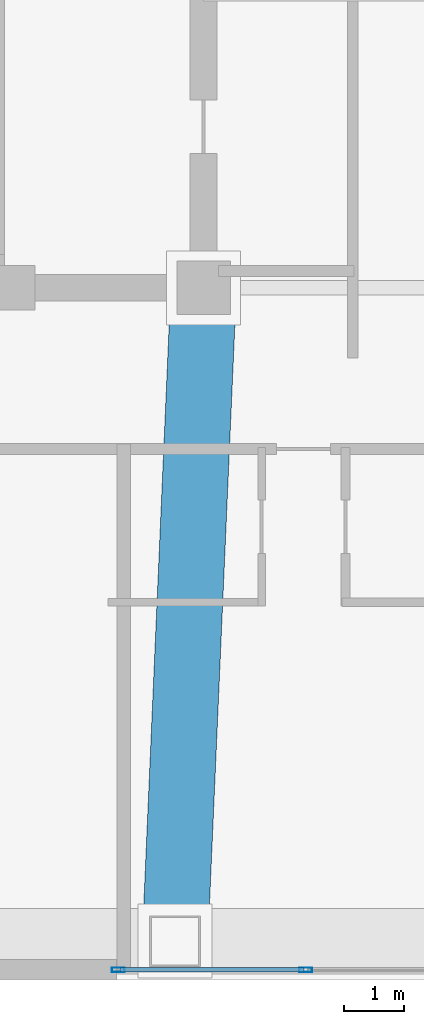
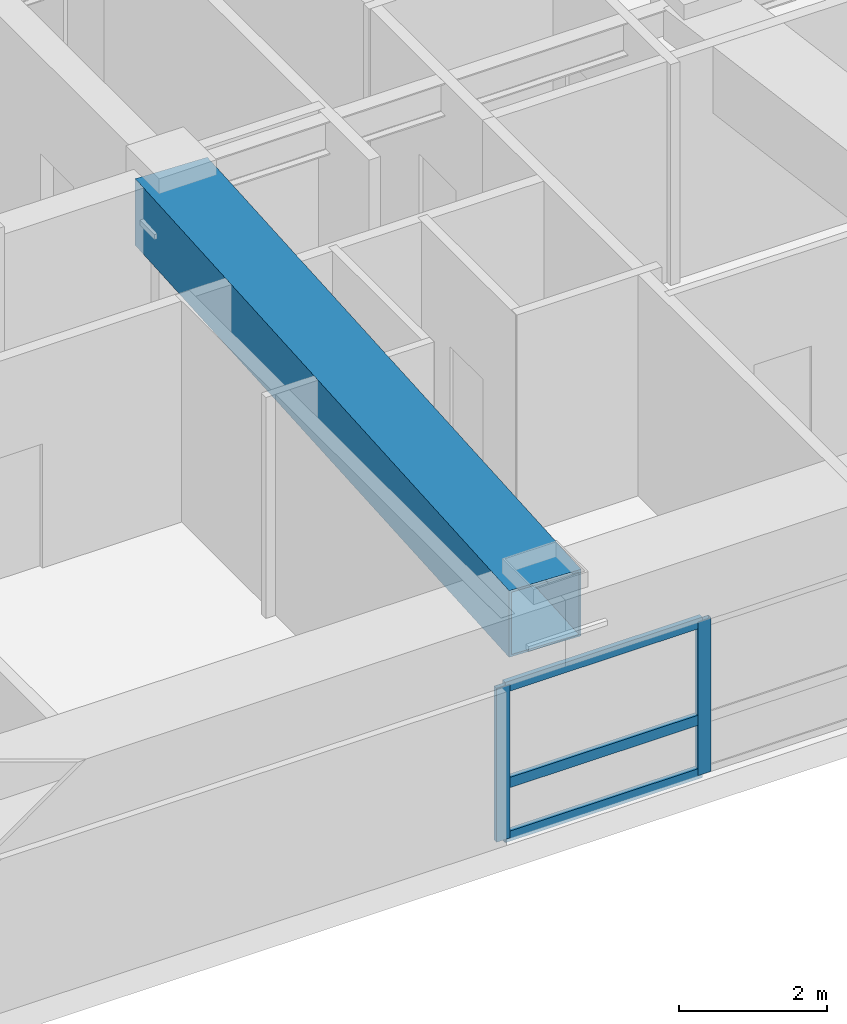
# One storey, part 2 of 16: 5 members, 1 beam, 1 element without a shape of its own.
"""IFC4 building model written with IfcOpenShell, lengths in metres."""

from ifc_helpers import new_model, si_unit, direction, frame, origin, origin_2d, place, context, subcontext, project, spatial, hollow_rectangle, extrude, material, layer, layer_set, material_profile, profile_set, type_object, element, aggregate, save


model = new_model("IFC4")

# Units and contexts
model_context = context("Model", 3, precision=1e-05, world=origin(), true_north=direction((0.0, 1.0)))
body_context = subcontext(model_context, "Body", "Model", "MODEL_VIEW")
ifc_project = project(units=[si_unit("LENGTHUNIT", "METRE"), si_unit("AREAUNIT", "SQUARE_METRE"), si_unit("VOLUMEUNIT", "CUBIC_METRE"), si_unit("PLANEANGLEUNIT", "RADIAN"), si_unit("MASSUNIT", "GRAM", prefix="KILO")], contexts=[model_context])

# Site, building, storey
site_placement = place(None, origin())
site = spatial("IfcSite", under=ifc_project, at=site_placement, CompositionType="ELEMENT")
building_placement = place(site_placement, origin())
building = spatial("IfcBuilding", under=site, at=building_placement, Name="Voryun Gate Residences", CompositionType="ELEMENT")
storey_placement = place(building_placement, frame((0.0, 0.0, 200.199951171875)))
storey = spatial("IfcBuildingStorey", under=building, at=storey_placement, Name="L49", CompositionType="ELEMENT", Elevation=200.199951171875)

# Beam
ifc_material_1 = material(Name="Steel SM420", Category="steel")
ifc_material_profile_1 = material_profile(ifc_material_1, hollow_rectangle(XDim=1.10009765625, YDim=1.10009765625, WallThickness=0.035888671875, at=origin_2d()), Name="BOX-1100x1100x36")
ifc_profile_set_1 = profile_set([ifc_material_profile_1], Name="Steel SM420")
beam_type = type_object("IfcBeamType", Name="BM_ARCH_RIB", PredefinedType="USERDEFINED", material=ifc_profile_set_1)
beam_placement = place(storey_placement, frame((-12.39990234375, -7.39990234375, 3.10009765625), z_axis=(-0.043791002488, -0.999040713936, 0.0), x_axis=(0.999040713936, -0.043791002488, 0.0)))
element("IfcBeam", 1, at=beam_placement, inside=storey, type_object=beam_type, Name="BM-L49-RAD-S2", ObjectType="GIRDER", PredefinedType="USERDEFINED", context=body_context, shape_type="SweptSolid", body=[
    extrude(hollow_rectangle(XDim=1.10009765625, YDim=1.10009765625, WallThickness=0.035888671875, at=origin_2d()), origin(), (0.0, 0.0, 1.0), 10.960693359375),
])

# Curtain wall, members
ifc_material_2 = material(Name="Anodised aluminium", Category="aluminium")
ifc_layer = layer(ifc_material_2, 0.2099609375, Name="CW_SYS_SKYGARDEN_DARK_GLASS")
ifc_layer_set = layer_set([ifc_layer], Name="Anodised aluminium")
curtain_wall_type = type_object("IfcCurtainWallType", Name="CW_SYS_SKYGARDEN_DARK_GLASS", PredefinedType="NOTDEFINED", material=ifc_layer_set)
curtain_wall_placement = place(storey_placement, origin())
curtain_wall = element("IfcCurtainWall", 2, at=curtain_wall_placement, inside=storey, type_object=curtain_wall_type, Name="Curtain wall CW5-L49-SG-01", PredefinedType="NOTDEFINED")
ifc_material_3 = material(Name="Anodised aluminium", Category="aluminium")
ifc_material_profile_2 = material_profile(ifc_material_3, hollow_rectangle(XDim=0.074951171875, YDim=0.2099609375, WallThickness=0.0048828125, at=origin_2d()), Name="ALU-MULL-210x75x5")
ifc_profile_set_2 = profile_set([ifc_material_profile_2], Name="Anodised aluminium")
member_type_1 = type_object("IfcMemberType", Name="CW_MULL_SKY", PredefinedType="MULLION", material=ifc_profile_set_2)
member_1_placement = place(storey_placement, frame((-10.68896484375, -18.830078125, 0.0), z_axis=(0.0, 0.0, 1.0), x_axis=(0.0, -1.0, 0.0)))
member_1 = element("IfcMember", 3, at=member_1_placement, type_object=member_type_1, Name="CW5 mullion 10", PredefinedType="MULLION", context=body_context, shape_type="SweptSolid", body=[
    extrude(hollow_rectangle(XDim=0.074951171875, YDim=0.2099609375, WallThickness=0.0048828125, at=origin_2d()), origin(), (0.0, 0.0, 1.0), 2.5400390625),
])
member_2_placement = place(storey_placement, frame((-13.831298828125, -18.830078125, 0.0), z_axis=(0.0, 0.0, 1.0), x_axis=(0.0, -1.0, 0.0)))
member_2 = element("IfcMember", 4, at=member_2_placement, type_object=member_type_1, Name="CW5 mullion 11", PredefinedType="MULLION", context=body_context, shape_type="SweptSolid", body=[
    extrude(hollow_rectangle(XDim=0.074951171875, YDim=0.2099609375, WallThickness=0.0048828125, at=origin_2d()), origin(), (0.0, 0.0, 1.0), 2.5400390625),
])
ifc_material_4 = material(Name="Anodised aluminium", Category="aluminium")
ifc_material_profile_3 = material_profile(ifc_material_4, hollow_rectangle(XDim=0.074951171875, YDim=0.169921875, WallThickness=0.0048828125, at=origin_2d()), Name="ALU-TRAN-170x75x5")
ifc_profile_set_3 = profile_set([ifc_material_profile_3], Name="Anodised aluminium")
member_type_2 = type_object("IfcMemberType", Name="CW_TRAN_SKY", PredefinedType="USERDEFINED", material=ifc_profile_set_3)
member_3_placement = place(storey_placement, frame((-10.718994140625, -18.830078125, 0.030029296875), z_axis=(-1.0, 0.0, 0.0), x_axis=(0.0, -1.0, 0.0)))
member_3 = element("IfcMember", 5, at=member_3_placement, type_object=member_type_2, Name="CW5 transom 10.1", ObjectType="TRANSOM", PredefinedType="USERDEFINED", context=body_context, shape_type="SweptSolid", body=[
    extrude(hollow_rectangle(XDim=0.074951171875, YDim=0.169921875, WallThickness=0.0048828125, at=origin_2d()), origin(), (0.0, 0.0, 1.0), 3.082275390625),
])
member_4_placement = place(storey_placement, frame((-10.718994140625, -18.830078125, 0.91455078125), z_axis=(-1.0, 0.0, 0.0), x_axis=(0.0, -1.0, 0.0)))
member_4 = element("IfcMember", 6, at=member_4_placement, type_object=member_type_2, Name="CW5 transom 10.2", ObjectType="TRANSOM", PredefinedType="USERDEFINED", context=body_context, shape_type="SweptSolid", body=[
    extrude(hollow_rectangle(XDim=0.074951171875, YDim=0.169921875, WallThickness=0.0048828125, at=origin_2d()), origin(), (0.0, 0.0, 1.0), 3.082275390625),
])
member_5_placement = place(storey_placement, frame((-10.718994140625, -18.830078125, 2.510009765625), z_axis=(-1.0, 0.0, 0.0), x_axis=(0.0, -1.0, 0.0)))
member_5 = element("IfcMember", 7, at=member_5_placement, type_object=member_type_2, Name="CW5 transom 10.3", ObjectType="TRANSOM", PredefinedType="USERDEFINED", context=body_context, shape_type="SweptSolid", body=[
    extrude(hollow_rectangle(XDim=0.074951171875, YDim=0.169921875, WallThickness=0.0048828125, at=origin_2d()), origin(), (0.0, 0.0, 1.0), 3.082275390625),
])
aggregate(curtain_wall, [member_1, member_2, member_3, member_4, member_5])

save(model, "model.ifc")
